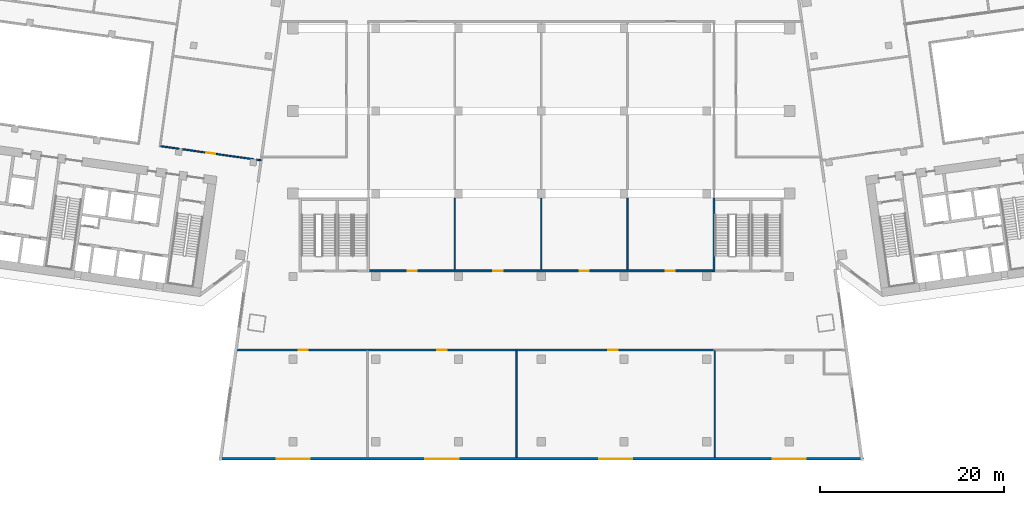
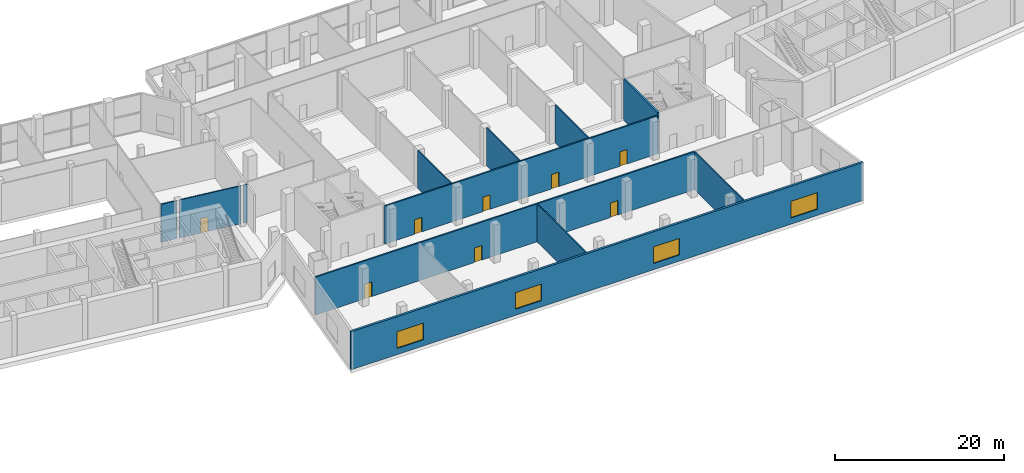
# One storey, part 12 of 24: 12 walls, 8 doors, 4 windows, 12 openings.
"""IFC4 building model written with IfcOpenShell, lengths in metres."""

from ifc_helpers import new_model, si_unit, direction, frame, frame_2d, origin, place, context, subcontext, project, spatial, rectangle, extrude, material, layer, layer_set, type_object, element, fill, save


model = new_model("IFC4")

# Units and contexts
model_context = context("Model", 3, precision=1e-05, world=origin(), true_north=direction((0.0, 1.0)))
body_context = subcontext(model_context, "Body", "Model", "MODEL_VIEW")
ifc_project = project(units=[si_unit("LENGTHUNIT", "METRE"), si_unit("AREAUNIT", "SQUARE_METRE"), si_unit("VOLUMEUNIT", "CUBIC_METRE"), si_unit("PLANEANGLEUNIT", "RADIAN"), si_unit("MASSUNIT", "GRAM", prefix="KILO")], contexts=[model_context])

# Site, building, storey
site_placement = place(None, origin())
site = spatial("IfcSite", under=ifc_project, at=site_placement, CompositionType="ELEMENT")
building_placement = place(site_placement, origin())
building = spatial("IfcBuilding", under=site, at=building_placement, Name="Mirante Cascada Hotel Towers", CompositionType="ELEMENT")
storey_placement = place(building_placement, frame((0.0, 0.0, 17.5)))
storey = spatial("IfcBuildingStorey", under=building, at=storey_placement, Name="L02", CompositionType="ELEMENT", Elevation=17.5)

# Wall
ifc_material_1 = material(Name="Masonry block", Category="masonry")
ifc_layer_1 = layer(ifc_material_1, 0.15)
ifc_layer_set_1 = layer_set([ifc_layer_1], Name="Corridor wall 150 block")
wall_type_1 = type_object("IfcWallType", Name="Corridor wall 150 block", PredefinedType="PARTITIONING", material=ifc_layer_set_1)
wall_1_placement = place(storey_placement, frame((-41.4008, -3.8311, 0.0), z_axis=(0.0, 0.0, 1.0), x_axis=(0.9902711, -0.1391512, 0.0)))
element("IfcWall", 1, at=wall_1_placement, inside=storey, type_object=wall_type_1, Name="Corridor wall T1 L02", PredefinedType="PARTITIONING", context=body_context, shape_type="SweptSolid", body=[
    extrude(rectangle(XDim=2.0108, YDim=0.15, at=frame_2d((1.0054, 0.0))), origin(), (0.0, 0.0, 1.0), 5.5),
])

# Wall, opening, door
wall_2_placement = place(storey_placement, frame((-39.0843, -4.1567, 0.0), z_axis=(0.0, 0.0, 1.0), x_axis=(0.9902676, -0.1391764, 0.0)))
wall_2 = element("IfcWall", 2, at=wall_2_placement, inside=storey, type_object=wall_type_1, Name="Corridor wall T1 L02", PredefinedType="PARTITIONING", context=body_context, shape_type="SweptSolid", body=[
    extrude(rectangle(XDim=7.8713, YDim=0.15, at=frame_2d((3.9356, 0.0))), origin(), (0.0, 0.0, 1.0), 5.5),
])
opening_1_placement = place(wall_2_placement, frame((2.6782, 0.0, 0.0)))
opening_1 = element("IfcOpeningElement", 3, at=opening_1_placement, cuts=wall_2, Name="Opening DP1-L02-01", PredefinedType="OPENING", context=body_context, shape_type="SweptSolid", body=[
    extrude(rectangle(XDim=1.0, YDim=2.1, at=frame_2d((0.5, 1.05))), frame((0.0, 0.075, 0.0), z_axis=(0.0, -1.0, 0.0), x_axis=(1.0, 0.0, 0.0)), (0.0, 0.0, 1.0), 0.15),
])
ifc_material_2 = material(Name="Timber door leaf", Category="wood")
door_type = type_object("IfcDoorType", Name="Single door 1000x2100", OperationType="NOTDEFINED", PredefinedType="DOOR", material=ifc_material_2)
door_1_placement = place(opening_1_placement, origin())
door_1 = element("IfcDoor", 4, at=door_1_placement, inside=storey, type_object=door_type, Name="Door DP1-L02-01", OperationType="SINGLE_SWING_LEFT", OverallHeight=2.1, OverallWidth=1.0, PredefinedType="DOOR", context=body_context, shape_type="SweptSolid", body=[
    extrude(rectangle(XDim=1.0, YDim=2.1, at=frame_2d((0.5, 1.05))), frame((0.0, 0.025, 0.0), z_axis=(0.0, -1.0, 0.0), x_axis=(1.0, 0.0, 0.0)), (0.0, 0.0, 1.0), 0.05),
])
fill(opening_1, door_1)

# Wall
wall_3_placement = place(storey_placement, frame((-30.9641, -5.2979, 0.0), z_axis=(0.0, 0.0, 1.0), x_axis=(0.9902657, -0.1391899, 0.0)))
element("IfcWall", 5, at=wall_3_placement, inside=storey, type_object=wall_type_1, Name="Corridor wall T1 L02", PredefinedType="PARTITIONING", context=body_context, shape_type="SweptSolid", body=[
    extrude(rectangle(XDim=0.4957, YDim=0.15, at=frame_2d((0.2478, 0.0))), origin(), (0.0, 0.0, 1.0), 5.5),
])

# Wall, openings, doors
ifc_material_3 = material(Name="Masonry block", Category="masonry")
ifc_layer_2 = layer(ifc_material_3, 0.2)
ifc_layer_set_2 = layer_set([ifc_layer_2], Name="Hall wall 200 block")
wall_type_2 = type_object("IfcWallType", Name="Hall wall 200 block", PredefinedType="PARTITIONING", material=ifc_layer_set_2)
wall_4_placement = place(storey_placement, frame((-33.0701, -26.0, 0.0), z_axis=(0.0, 0.0, 1.0), x_axis=(1.0, 0.0, 0.0)))
wall_4 = element("IfcWall", 6, at=wall_4_placement, inside=storey, type_object=wall_type_2, Name="Hall wall P L02", PredefinedType="PARTITIONING", context=body_context, shape_type="SweptSolid", body=[
    extrude(rectangle(XDim=51.8833, YDim=0.2, at=frame_2d((25.9416, 0.0))), origin(), (0.0, 0.0, 1.0), 5.5),
])
opening_2_placement = place(wall_4_placement, frame((6.6945, 0.0, 0.0)))
opening_2 = element("IfcOpeningElement", 7, at=opening_2_placement, cuts=wall_4, Name="Opening DP-L02-13", PredefinedType="OPENING", context=body_context, shape_type="SweptSolid", body=[
    extrude(rectangle(XDim=1.0, YDim=2.1, at=frame_2d((0.5, 1.05))), frame((0.0, 0.1, 0.0), z_axis=(0.0, -1.0, 0.0), x_axis=(1.0, 0.0, 0.0)), (0.0, 0.0, 1.0), 0.2),
])
opening_3_placement = place(wall_4_placement, frame((21.7826, 0.0, 0.0)))
opening_3 = element("IfcOpeningElement", 8, at=opening_3_placement, cuts=wall_4, Name="Opening DP-L02-14", PredefinedType="OPENING", context=body_context, shape_type="SweptSolid", body=[
    extrude(rectangle(XDim=1.0, YDim=2.1, at=frame_2d((0.5, 1.05))), frame((0.0, 0.1, 0.0), z_axis=(0.0, -1.0, 0.0), x_axis=(1.0, 0.0, 0.0)), (0.0, 0.0, 1.0), 0.2),
])
opening_4_placement = place(wall_4_placement, frame((40.3782, 0.0, 0.0)))
opening_4 = element("IfcOpeningElement", 9, at=opening_4_placement, cuts=wall_4, Name="Opening DP-L02-15", PredefinedType="OPENING", context=body_context, shape_type="SweptSolid", body=[
    extrude(rectangle(XDim=1.0, YDim=2.1, at=frame_2d((0.5, 1.05))), frame((0.0, 0.1, 0.0), z_axis=(0.0, -1.0, 0.0), x_axis=(1.0, 0.0, 0.0)), (0.0, 0.0, 1.0), 0.2),
])
door_2_placement = place(opening_2_placement, frame((1.0, 0.0, 0.0), z_axis=(0.0, 0.0, 1.0), x_axis=(-1.0, 0.0, 0.0)))
door_2 = element("IfcDoor", 10, at=door_2_placement, inside=storey, type_object=door_type, Name="Door DP-L02-13", OperationType="SINGLE_SWING_LEFT", OverallHeight=2.1, OverallWidth=1.0, PredefinedType="DOOR", context=body_context, shape_type="SweptSolid", body=[
    extrude(rectangle(XDim=1.0, YDim=2.1, at=frame_2d((0.5, 1.05))), frame((0.0, 0.025, 0.0), z_axis=(0.0, -1.0, 0.0), x_axis=(1.0, 0.0, 0.0)), (0.0, 0.0, 1.0), 0.05),
])
fill(opening_2, door_2)
door_3_placement = place(opening_3_placement, frame((1.0, 0.0, 0.0), z_axis=(0.0, 0.0, 1.0), x_axis=(-1.0, 0.0, 0.0)))
door_3 = element("IfcDoor", 11, at=door_3_placement, inside=storey, type_object=door_type, Name="Door DP-L02-14", OperationType="SINGLE_SWING_RIGHT", OverallHeight=2.1, OverallWidth=1.0, PredefinedType="DOOR", context=body_context, shape_type="SweptSolid", body=[
    extrude(rectangle(XDim=1.0, YDim=2.1, at=frame_2d((0.5, 1.05))), frame((0.0, 0.025, 0.0), z_axis=(0.0, -1.0, 0.0), x_axis=(1.0, 0.0, 0.0)), (0.0, 0.0, 1.0), 0.05),
])
fill(opening_3, door_3)
door_4_placement = place(opening_4_placement, frame((1.0, 0.0, 0.0), z_axis=(0.0, 0.0, 1.0), x_axis=(-1.0, 0.0, 0.0)))
door_4 = element("IfcDoor", 12, at=door_4_placement, inside=storey, type_object=door_type, Name="Door DP-L02-15", OperationType="SINGLE_SWING_LEFT", OverallHeight=2.1, OverallWidth=1.0, PredefinedType="DOOR", context=body_context, shape_type="SweptSolid", body=[
    extrude(rectangle(XDim=1.0, YDim=2.1, at=frame_2d((0.5, 1.05))), frame((0.0, 0.025, 0.0), z_axis=(0.0, -1.0, 0.0), x_axis=(1.0, 0.0, 0.0)), (0.0, 0.0, 1.0), 0.05),
])
fill(opening_4, door_4)

wall_5_placement = place(storey_placement, frame((-18.685, -17.4, 0.0), z_axis=(0.0, 0.0, 1.0), x_axis=(1.0, 0.0, 0.0)))
wall_5 = element("IfcWall", 13, at=wall_5_placement, inside=storey, type_object=wall_type_2, Name="Hall wall P L02", PredefinedType="PARTITIONING", context=body_context, shape_type="SweptSolid", body=[
    extrude(rectangle(XDim=37.37, YDim=0.2, at=frame_2d((18.685, 0.0))), origin(), (0.0, 0.0, 1.0), 5.5),
])
opening_5_placement = place(wall_5_placement, frame((4.1425, 0.0, 0.0)))
opening_5 = element("IfcOpeningElement", 14, at=opening_5_placement, cuts=wall_5, Name="Opening DP-L02-05", PredefinedType="OPENING", context=body_context, shape_type="SweptSolid", body=[
    extrude(rectangle(XDim=1.0, YDim=2.1, at=frame_2d((0.5, 1.05))), frame((0.0, 0.1, 0.0), z_axis=(0.0, -1.0, 0.0), x_axis=(1.0, 0.0, 0.0)), (0.0, 0.0, 1.0), 0.2),
])
opening_6_placement = place(wall_5_placement, frame((13.485, 0.0, 0.0)))
opening_6 = element("IfcOpeningElement", 15, at=opening_6_placement, cuts=wall_5, Name="Opening DP-L02-07", PredefinedType="OPENING", context=body_context, shape_type="SweptSolid", body=[
    extrude(rectangle(XDim=1.0, YDim=2.1, at=frame_2d((0.5, 1.05))), frame((0.0, 0.1, 0.0), z_axis=(0.0, -1.0, 0.0), x_axis=(1.0, 0.0, 0.0)), (0.0, 0.0, 1.0), 0.2),
])
opening_7_placement = place(wall_5_placement, frame((22.885, 0.0, 0.0)))
opening_7 = element("IfcOpeningElement", 16, at=opening_7_placement, cuts=wall_5, Name="Opening DP-L02-08", PredefinedType="OPENING", context=body_context, shape_type="SweptSolid", body=[
    extrude(rectangle(XDim=1.0, YDim=2.1, at=frame_2d((0.5, 1.05))), frame((0.0, 0.1, 0.0), z_axis=(0.0, -1.0, 0.0), x_axis=(1.0, 0.0, 0.0)), (0.0, 0.0, 1.0), 0.2),
])
opening_8_placement = place(wall_5_placement, frame((32.2275, 0.0, 0.0)))
opening_8 = element("IfcOpeningElement", 17, at=opening_8_placement, cuts=wall_5, Name="Opening DP-L02-09", PredefinedType="OPENING", context=body_context, shape_type="SweptSolid", body=[
    extrude(rectangle(XDim=1.0, YDim=2.1, at=frame_2d((0.5, 1.05))), frame((0.0, 0.1, 0.0), z_axis=(0.0, -1.0, 0.0), x_axis=(1.0, 0.0, 0.0)), (0.0, 0.0, 1.0), 0.2),
])
door_5_placement = place(opening_5_placement, frame((1.0, 0.0, 0.0), z_axis=(0.0, 0.0, 1.0), x_axis=(-1.0, 0.0, 0.0)))
door_5 = element("IfcDoor", 18, at=door_5_placement, inside=storey, type_object=door_type, Name="Door DP-L02-05", OperationType="SINGLE_SWING_LEFT", OverallHeight=2.1, OverallWidth=1.0, PredefinedType="DOOR", context=body_context, shape_type="SweptSolid", body=[
    extrude(rectangle(XDim=1.0, YDim=2.1, at=frame_2d((0.5, 1.05))), frame((0.0, 0.025, 0.0), z_axis=(0.0, -1.0, 0.0), x_axis=(1.0, 0.0, 0.0)), (0.0, 0.0, 1.0), 0.05),
])
fill(opening_5, door_5)
door_6_placement = place(opening_6_placement, frame((1.0, 0.0, 0.0), z_axis=(0.0, 0.0, 1.0), x_axis=(-1.0, 0.0, 0.0)))
door_6 = element("IfcDoor", 19, at=door_6_placement, inside=storey, type_object=door_type, Name="Door DP-L02-07", OperationType="SINGLE_SWING_LEFT", OverallHeight=2.1, OverallWidth=1.0, PredefinedType="DOOR", context=body_context, shape_type="SweptSolid", body=[
    extrude(rectangle(XDim=1.0, YDim=2.1, at=frame_2d((0.5, 1.05))), frame((0.0, 0.025, 0.0), z_axis=(0.0, -1.0, 0.0), x_axis=(1.0, 0.0, 0.0)), (0.0, 0.0, 1.0), 0.05),
])
fill(opening_6, door_6)
door_7_placement = place(opening_7_placement, frame((1.0, 0.0, 0.0), z_axis=(0.0, 0.0, 1.0), x_axis=(-1.0, 0.0, 0.0)))
door_7 = element("IfcDoor", 20, at=door_7_placement, inside=storey, type_object=door_type, Name="Door DP-L02-08", OperationType="SINGLE_SWING_RIGHT", OverallHeight=2.1, OverallWidth=1.0, PredefinedType="DOOR", context=body_context, shape_type="SweptSolid", body=[
    extrude(rectangle(XDim=1.0, YDim=2.1, at=frame_2d((0.5, 1.05))), frame((0.0, 0.025, 0.0), z_axis=(0.0, -1.0, 0.0), x_axis=(1.0, 0.0, 0.0)), (0.0, 0.0, 1.0), 0.05),
])
fill(opening_7, door_7)
door_8_placement = place(opening_8_placement, frame((1.0, 0.0, 0.0), z_axis=(0.0, 0.0, 1.0), x_axis=(-1.0, 0.0, 0.0)))
door_8 = element("IfcDoor", 21, at=door_8_placement, inside=storey, type_object=door_type, Name="Door DP-L02-09", OperationType="SINGLE_SWING_LEFT", OverallHeight=2.1, OverallWidth=1.0, PredefinedType="DOOR", context=body_context, shape_type="SweptSolid", body=[
    extrude(rectangle(XDim=1.0, YDim=2.1, at=frame_2d((0.5, 1.05))), frame((0.0, 0.025, 0.0), z_axis=(0.0, -1.0, 0.0), x_axis=(1.0, 0.0, 0.0)), (0.0, 0.0, 1.0), 0.05),
])
fill(opening_8, door_8)

# Walls
ifc_material_4 = material(Name="Masonry block", Category="masonry")
ifc_layer_3 = layer(ifc_material_4, 0.15)
ifc_layer_set_3 = layer_set([ifc_layer_3], Name="Partition 150 block")
wall_type_3 = type_object("IfcWallType", Name="Partition 150 block", PredefinedType="PARTITIONING", material=ifc_layer_set_3)
for number, where, z_axis, x_axis, name in (
    (22, (9.4, -17.3, 0.0), (0.0, 0.0, 1.0), (0.0, 1.0, 0.0), "Partition P L02"),
    (23, (0.0, -17.3, 0.0), (0.0, 0.0, 1.0), (0.0, 1.0, 0.0), "Partition P L02"),
):
    element("IfcWall", number, at=place(storey_placement, frame(where, z_axis=z_axis, x_axis=x_axis)), inside=storey, type_object=wall_type_3, Name=name, PredefinedType="PARTITIONING", context=body_context, shape_type="SweptSolid", body=[
        extrude(rectangle(XDim=7.85, YDim=0.15, at=frame_2d((3.925, 0.0))), origin(), (0.0, 0.0, 1.0), 5.5),
    ])
wall_6_placement = place(storey_placement, frame((-2.6969, -37.7, 0.0), z_axis=(0.0, 0.0, 1.0), x_axis=(0.0, 1.0, 0.0)))
element("IfcWall", 24, at=wall_6_placement, inside=storey, type_object=wall_type_3, Name="Partition P L02", PredefinedType="PARTITIONING", context=body_context, shape_type="SweptSolid", body=[
    extrude(rectangle(XDim=11.6, YDim=0.15, at=frame_2d((5.8, 0.0))), origin(), (0.0, 0.0, 1.0), 5.5),
])
wall_7_placement = place(storey_placement, frame((-9.4, -17.3, 0.0), z_axis=(0.0, 0.0, 1.0), x_axis=(0.0, 1.0, 0.0)))
element("IfcWall", 25, at=wall_7_placement, inside=storey, type_object=wall_type_3, Name="Partition P L02", PredefinedType="PARTITIONING", context=body_context, shape_type="SweptSolid", body=[
    extrude(rectangle(XDim=7.85, YDim=0.15, at=frame_2d((3.925, 0.0))), origin(), (0.0, 0.0, 1.0), 5.5),
])

# Wall, openings, windows
ifc_material_5 = material(Name="Precast concrete C40/50", Category="concrete")
ifc_layer_4 = layer(ifc_material_5, 0.3)
ifc_layer_set_4 = layer_set([ifc_layer_4], Name="Precast concrete C40/50 cladding wall 300")
wall_type_4 = type_object("IfcWallType", Name="Precast concrete C40/50 cladding wall 300", PredefinedType="STANDARD", material=ifc_layer_set_4)
wall_8_placement = place(storey_placement, frame((-35.0595, -37.85, 0.0), z_axis=(0.0, 0.0, 1.0), x_axis=(1.0, 0.0, 0.0)))
wall_8 = element("IfcWall", 26, at=wall_8_placement, inside=storey, type_object=wall_type_4, Name="Podium cladding wall L02 P:L02:1", PredefinedType="STANDARD", context=body_context, shape_type="SweptSolid", body=[
    extrude(rectangle(XDim=70.119, YDim=0.3, at=frame_2d((35.0595, 0.0))), origin(), (0.0, 0.0, 1.0), 5.5),
])
opening_9_placement = place(wall_8_placement, frame((6.2906, 0.0, 0.9)))
opening_9 = element("IfcOpeningElement", 27, at=opening_9_placement, cuts=wall_8, Name="Opening WP-02-01", PredefinedType="OPENING", context=body_context, shape_type="SweptSolid", body=[
    extrude(rectangle(XDim=3.6, YDim=2.4, at=frame_2d((1.8, 1.2))), frame((0.0, 0.15, 0.0), z_axis=(0.0, -1.0, 0.0), x_axis=(1.0, 0.0, 0.0)), (0.0, 0.0, 1.0), 0.3),
])
opening_10_placement = place(wall_8_placement, frame((22.4719, 0.0, 0.9)))
opening_10 = element("IfcOpeningElement", 28, at=opening_10_placement, cuts=wall_8, Name="Opening WP-02-02", PredefinedType="OPENING", context=body_context, shape_type="SweptSolid", body=[
    extrude(rectangle(XDim=3.6, YDim=2.4, at=frame_2d((1.8, 1.2))), frame((0.0, 0.15, 0.0), z_axis=(0.0, -1.0, 0.0), x_axis=(1.0, 0.0, 0.0)), (0.0, 0.0, 1.0), 0.3),
])
opening_11_placement = place(wall_8_placement, frame((41.3501, 0.0, 0.9)))
opening_11 = element("IfcOpeningElement", 29, at=opening_11_placement, cuts=wall_8, Name="Opening WP-02-03", PredefinedType="OPENING", context=body_context, shape_type="SweptSolid", body=[
    extrude(rectangle(XDim=3.6, YDim=2.4, at=frame_2d((1.8, 1.2))), frame((0.0, 0.15, 0.0), z_axis=(0.0, -1.0, 0.0), x_axis=(1.0, 0.0, 0.0)), (0.0, 0.0, 1.0), 0.3),
])
opening_12_placement = place(wall_8_placement, frame((60.2283, 0.0, 0.9)))
opening_12 = element("IfcOpeningElement", 30, at=opening_12_placement, cuts=wall_8, Name="Opening WP-02-04", PredefinedType="OPENING", context=body_context, shape_type="SweptSolid", body=[
    extrude(rectangle(XDim=3.6, YDim=2.4, at=frame_2d((1.8, 1.2))), frame((0.0, 0.15, 0.0), z_axis=(0.0, -1.0, 0.0), x_axis=(1.0, 0.0, 0.0)), (0.0, 0.0, 1.0), 0.3),
])
ifc_material_6 = material(Name="Aluminium frame with clear double glazing", Category="aluminium")
window_type = type_object("IfcWindowType", Name="Podium punched window 3600x2400", PartitioningType="DOUBLE_PANEL_VERTICAL", PredefinedType="WINDOW", material=ifc_material_6)
window_1_placement = place(opening_9_placement, origin())
window_1 = element("IfcWindow", 31, at=window_1_placement, inside=storey, type_object=window_type, Name="Window WP-02-01", OverallHeight=2.4, OverallWidth=3.6, PartitioningType="SINGLE_PANEL", PredefinedType="WINDOW", context=body_context, shape_type="SweptSolid", body=[
    extrude(rectangle(XDim=3.6, YDim=2.4, at=frame_2d((1.8, 1.2))), frame((0.0, 0.03, 0.0), z_axis=(0.0, -1.0, 0.0), x_axis=(1.0, 0.0, 0.0)), (0.0, 0.0, 1.0), 0.06),
])
fill(opening_9, window_1)
window_2_placement = place(opening_10_placement, origin())
window_2 = element("IfcWindow", 32, at=window_2_placement, inside=storey, type_object=window_type, Name="Window WP-02-02", OverallHeight=2.4, OverallWidth=3.6, PartitioningType="SINGLE_PANEL", PredefinedType="WINDOW", context=body_context, shape_type="SweptSolid", body=[
    extrude(rectangle(XDim=3.6, YDim=2.4, at=frame_2d((1.8, 1.2))), frame((0.0, 0.03, 0.0), z_axis=(0.0, -1.0, 0.0), x_axis=(1.0, 0.0, 0.0)), (0.0, 0.0, 1.0), 0.06),
])
fill(opening_10, window_2)
window_3_placement = place(opening_11_placement, origin())
window_3 = element("IfcWindow", 33, at=window_3_placement, inside=storey, type_object=window_type, Name="Window WP-02-03", OverallHeight=2.4, OverallWidth=3.6, PartitioningType="SINGLE_PANEL", PredefinedType="WINDOW", context=body_context, shape_type="SweptSolid", body=[
    extrude(rectangle(XDim=3.6, YDim=2.4, at=frame_2d((1.8, 1.2))), frame((0.0, 0.03, 0.0), z_axis=(0.0, -1.0, 0.0), x_axis=(1.0, 0.0, 0.0)), (0.0, 0.0, 1.0), 0.06),
])
fill(opening_11, window_3)
window_4_placement = place(opening_12_placement, origin())
window_4 = element("IfcWindow", 34, at=window_4_placement, inside=storey, type_object=window_type, Name="Window WP-02-04", OverallHeight=2.4, OverallWidth=3.6, PartitioningType="SINGLE_PANEL", PredefinedType="WINDOW", context=body_context, shape_type="SweptSolid", body=[
    extrude(rectangle(XDim=3.6, YDim=2.4, at=frame_2d((1.8, 1.2))), frame((0.0, 0.03, 0.0), z_axis=(0.0, -1.0, 0.0), x_axis=(1.0, 0.0, 0.0)), (0.0, 0.0, 1.0), 0.06),
])
fill(opening_12, window_4)

# Walls
ifc_material_7 = material(Name="Concrete C35/45", Category="concrete")
ifc_layer_5 = layer(ifc_material_7, 0.25)
ifc_layer_set_5 = layer_set([ifc_layer_5], Name="Stair wall 250 concrete C35/45 EI 120")
wall_type_5 = type_object("IfcWallType", Name="Stair wall 250 concrete C35/45 EI 120", PredefinedType="STANDARD", material=ifc_layer_set_5)
wall_9_placement = place(storey_placement, frame((18.8, -17.525, 0.0), z_axis=(0.0, 0.0, 1.0), x_axis=(0.0, 1.0, 0.0)))
element("IfcWall", 35, at=wall_9_placement, inside=storey, type_object=wall_type_5, Name="Stair wall P L02", PredefinedType="STANDARD", context=body_context, shape_type="SweptSolid", body=[
    extrude(rectangle(XDim=8.05, YDim=0.25, at=frame_2d((4.025, 0.0))), origin(), (0.0, 0.0, 1.0), 6.0),
])
ifc_material_8 = material(Name="Masonry block", Category="masonry")
ifc_layer_6 = layer(ifc_material_8, 0.15)
ifc_layer_set_6 = layer_set([ifc_layer_6], Name="Wet room wall 150 block")
wall_type_6 = type_object("IfcWallType", Name="Wet room wall 150 block", PredefinedType="PARTITIONING", material=ifc_layer_set_6)
wall_10_placement = place(storey_placement, frame((18.8782, -37.7, 0.0), z_axis=(0.0, 0.0, 1.0), x_axis=(0.0, 1.0, 0.0)))
element("IfcWall", 36, at=wall_10_placement, inside=storey, type_object=wall_type_6, Name="Wet room wall P L02", PredefinedType="PARTITIONING", context=body_context, shape_type="SweptSolid", body=[
    extrude(rectangle(XDim=11.625, YDim=0.15, at=frame_2d((5.8125, 0.0))), origin(), (0.0, 0.0, 1.0), 5.5),
])

save(model, "model.ifc")
